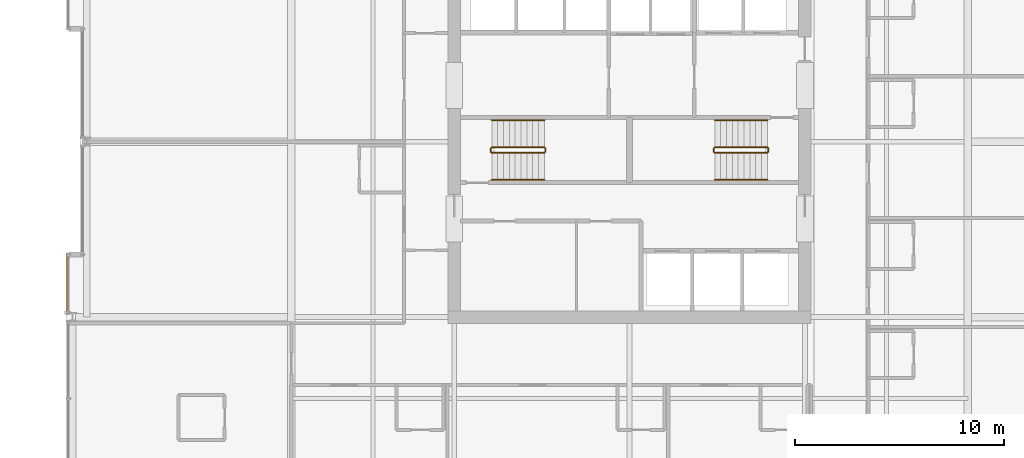
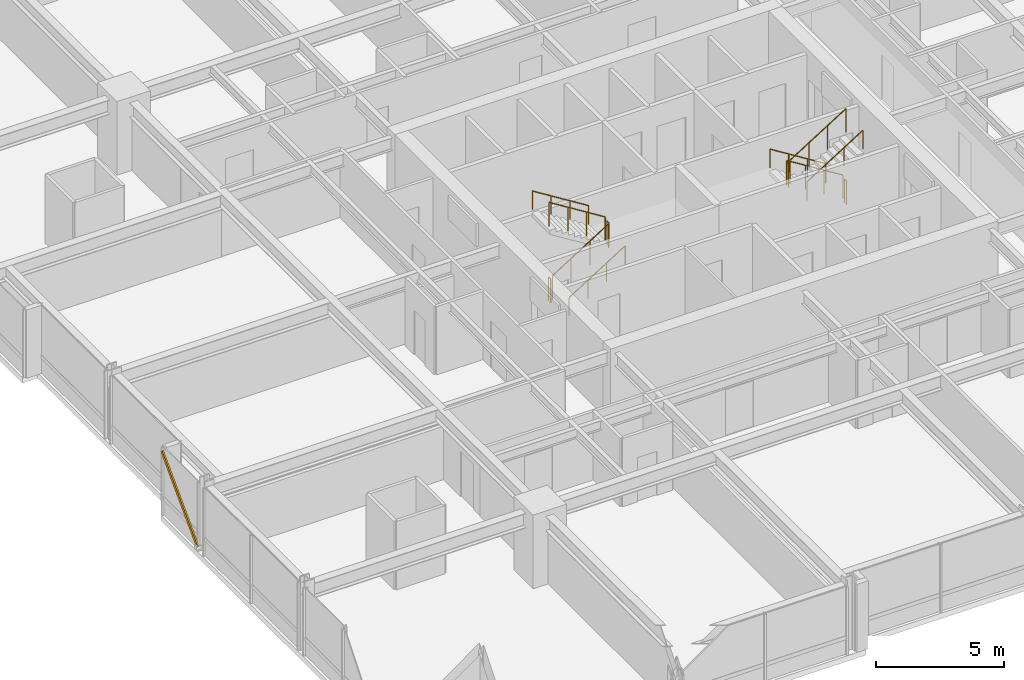
# One storey, part 33 of 34: 12 railings, 1 shading device.
"""IFC4 building model written with IfcOpenShell, lengths in metres."""

from ifc_helpers import new_model, si_unit, direction, frame, origin, origin_2d, place, context, subcontext, project, spatial, hollow_rectangle, circle, extrude, material, material_profile, profile_set, type_object, element, save


model = new_model("IFC4")

# Units and contexts
model_context = context("Model", 3, precision=1e-05, world=origin(), true_north=direction((0.0, 1.0)))
body_context = subcontext(model_context, "Body", "Model", "MODEL_VIEW")
ifc_project = project(units=[si_unit("LENGTHUNIT", "METRE"), si_unit("AREAUNIT", "SQUARE_METRE"), si_unit("VOLUMEUNIT", "CUBIC_METRE"), si_unit("PLANEANGLEUNIT", "RADIAN"), si_unit("MASSUNIT", "GRAM", prefix="KILO")], contexts=[model_context])

# Site, building, storey
site_placement = place(None, origin())
site = spatial("IfcSite", under=ifc_project, at=site_placement, CompositionType="ELEMENT")
building_placement = place(site_placement, origin())
building = spatial("IfcBuilding", under=site, at=building_placement, Name="Drelvath Grand Hotel", CompositionType="ELEMENT")
storey_placement = place(building_placement, frame((0.0, 0.0, 126.800048828125)))
storey = spatial("IfcBuildingStorey", under=building, at=storey_placement, Name="L32", CompositionType="ELEMENT", Elevation=126.800048828125)

# Railings
ifc_material_1 = material(Name="Painted Steel S275", Category="steel")
railing_type_1 = type_object("IfcRailingType", Name="Core Stair Wall Handrail 900", PredefinedType="HANDRAIL", material=ifc_material_1)
railing_1_placement = place(storey_placement, frame((-6.60009765625, 25.169921875, 0.175048828125)))
element("IfcRailing", 1, at=railing_1_placement, inside=storey, type_object=railing_type_1, Name="L32 ST-1 stair handrail 1", PredefinedType="HANDRAIL", context=body_context, shape_type="SweptSolid", body=[
    extrude(circle(Radius=0.02392578125, at=origin_2d()), frame((0.0, 0.0, 0.8759765625), z_axis=(0.848007534815, 0.0, 0.529984170421), x_axis=(0.0, 1.0, 0.0)), (0.0, 0.0, 1.0), 2.9716796875),
    extrude(circle(Radius=0.02099609375, at=origin_2d()), origin(), (0.0, 0.0, 1.0), 0.851806640625),
    extrude(circle(Radius=0.02099609375, at=origin_2d()), frame((0.840087890625, 0.0, 0.52490234375)), (0.0, 0.0, 1.0), 0.851806640625),
    extrude(circle(Radius=0.02099609375, at=origin_2d()), frame((1.679931640625, 0.0, 1.050048828125)), (0.0, 0.0, 1.0), 0.851806640625),
    extrude(circle(Radius=0.02099609375, at=origin_2d()), frame((2.52001953125, 0.0, 1.574951171875)), (0.0, 0.0, 1.0), 0.851806640625),
])
for number, where, name in (
    (2, (-4.080078125, 28.030029296875, 1.925048828125), "L32 ST-1 stair handrail 2"),
    (3, (6.60009765625, 28.030029296875, 0.175048828125), "L32 ST-2 stair handrail 1"),
):
    element("IfcRailing", number, at=place(storey_placement, frame(where)), inside=storey, type_object=railing_type_1, Name=name, PredefinedType="HANDRAIL", context=body_context, shape_type="SweptSolid", body=[
        extrude(circle(Radius=0.02392578125, at=origin_2d()), frame((0.0, 0.0, 0.8759765625), z_axis=(-0.848007534815, 0.0, 0.529984170421), x_axis=(0.0, -1.0, 0.0)), (0.0, 0.0, 1.0), 2.9716796875),
        extrude(circle(Radius=0.02099609375, at=origin_2d()), origin(), (0.0, 0.0, 1.0), 0.851806640625),
        extrude(circle(Radius=0.02099609375, at=origin_2d()), frame((-0.840087890625, 0.0, 0.52490234375)), (0.0, 0.0, 1.0), 0.851806640625),
        extrude(circle(Radius=0.02099609375, at=origin_2d()), frame((-1.679931640625, 0.0, 1.050048828125)), (0.0, 0.0, 1.0), 0.851806640625),
        extrude(circle(Radius=0.02099609375, at=origin_2d()), frame((-2.52001953125, 0.0, 1.574951171875)), (0.0, 0.0, 1.0), 0.851806640625),
    ])
railing_2_placement = place(storey_placement, frame((4.080078125, 25.169921875, 1.925048828125)))
element("IfcRailing", 4, at=railing_2_placement, inside=storey, type_object=railing_type_1, Name="L32 ST-2 stair handrail 2", PredefinedType="HANDRAIL", context=body_context, shape_type="SweptSolid", body=[
    extrude(circle(Radius=0.02392578125, at=origin_2d()), frame((0.0, 0.0, 0.8759765625), z_axis=(0.848007534815, 0.0, 0.529984170421), x_axis=(0.0, 1.0, 0.0)), (0.0, 0.0, 1.0), 2.9716796875),
    extrude(circle(Radius=0.02099609375, at=origin_2d()), origin(), (0.0, 0.0, 1.0), 0.851806640625),
    extrude(circle(Radius=0.02099609375, at=origin_2d()), frame((0.840087890625, 0.0, 0.52490234375)), (0.0, 0.0, 1.0), 0.851806640625),
    extrude(circle(Radius=0.02099609375, at=origin_2d()), frame((1.679931640625, 0.0, 1.050048828125)), (0.0, 0.0, 1.0), 0.851806640625),
    extrude(circle(Radius=0.02099609375, at=origin_2d()), frame((2.52001953125, 0.0, 1.574951171875)), (0.0, 0.0, 1.0), 0.851806640625),
])
railing_type_2 = type_object("IfcRailingType", Name="Core Stair Well Guardrail 1100", PredefinedType="GUARDRAIL", material=ifc_material_1)
railing_3_placement = place(storey_placement, frame((-6.60009765625, 26.469970703125, 0.175048828125)))
element("IfcRailing", 5, at=railing_3_placement, inside=storey, type_object=railing_type_2, Name="L32 ST-1 stair guard 1", PredefinedType="GUARDRAIL", context=body_context, shape_type="SweptSolid", body=[
    extrude(circle(Radius=0.02392578125, at=origin_2d()), frame((0.0, 0.0, 1.1259765625), z_axis=(0.848007534815, 0.0, 0.529984170421), x_axis=(0.0, 1.0, 0.0)), (0.0, 0.0, 1.0), 2.9716796875),
    extrude(circle(Radius=0.02099609375, at=origin_2d()), origin(), (0.0, 0.0, 1.0), 1.101806640625),
    extrude(circle(Radius=0.02099609375, at=origin_2d()), frame((0.840087890625, 0.0, 0.52490234375)), (0.0, 0.0, 1.0), 1.101806640625),
    extrude(circle(Radius=0.02099609375, at=origin_2d()), frame((1.679931640625, 0.0, 1.050048828125)), (0.0, 0.0, 1.0), 1.101806640625),
    extrude(circle(Radius=0.02099609375, at=origin_2d()), frame((2.52001953125, 0.0, 1.574951171875)), (0.0, 0.0, 1.0), 1.101806640625),
])
railing_4_placement = place(storey_placement, frame((-4.030029296875, 26.52001953125, 1.75)))
element("IfcRailing", 6, at=railing_4_placement, inside=storey, type_object=railing_type_2, Name="L32 ST-1 stair guard 2", PredefinedType="GUARDRAIL", context=body_context, shape_type="SweptSolid", body=[
    extrude(circle(Radius=0.02392578125, at=origin_2d()), frame((0.0, 0.0, 1.1259765625), z_axis=(0.0, 1.0, 0.0), x_axis=(-1.0, 0.0, 0.0)), (0.0, 0.0, 1.0), 0.159912109375),
    extrude(circle(Radius=0.02099609375, at=origin_2d()), origin(), (0.0, 0.0, 1.0), 1.101806640625),
    extrude(circle(Radius=0.02099609375, at=origin_2d()), frame((0.0, 0.159912109375, 0.0)), (0.0, 0.0, 1.0), 1.101806640625),
])
railing_5_placement = place(storey_placement, frame((-4.080078125, 26.72998046875, 1.925048828125)))
element("IfcRailing", 7, at=railing_5_placement, inside=storey, type_object=railing_type_2, Name="L32 ST-1 stair guard 3", PredefinedType="GUARDRAIL", context=body_context, shape_type="SweptSolid", body=[
    extrude(circle(Radius=0.02392578125, at=origin_2d()), frame((0.0, 0.0, 1.1259765625), z_axis=(-0.848007534815, 0.0, 0.529984170421), x_axis=(0.0, -1.0, 0.0)), (0.0, 0.0, 1.0), 2.9716796875),
    extrude(circle(Radius=0.02099609375, at=origin_2d()), origin(), (0.0, 0.0, 1.0), 1.101806640625),
    extrude(circle(Radius=0.02099609375, at=origin_2d()), frame((-0.840087890625, 0.0, 0.52490234375)), (0.0, 0.0, 1.0), 1.101806640625),
    extrude(circle(Radius=0.02099609375, at=origin_2d()), frame((-1.679931640625, 0.0, 1.050048828125)), (0.0, 0.0, 1.0), 1.101806640625),
    extrude(circle(Radius=0.02099609375, at=origin_2d()), frame((-2.52001953125, 0.0, 1.574951171875)), (0.0, 0.0, 1.0), 1.101806640625),
])
railing_6_placement = place(storey_placement, frame((-6.64990234375, 26.52001953125, 0.0)))
element("IfcRailing", 8, at=railing_6_placement, inside=storey, type_object=railing_type_2, Name="L32 ST-1 stair guard 4", PredefinedType="GUARDRAIL", context=body_context, shape_type="SweptSolid", body=[
    extrude(circle(Radius=0.02392578125, at=origin_2d()), frame((0.0, 0.0, 1.1259765625), z_axis=(0.0, 1.0, 0.0), x_axis=(-1.0, 0.0, 0.0)), (0.0, 0.0, 1.0), 0.159912109375),
    extrude(circle(Radius=0.02099609375, at=origin_2d()), origin(), (0.0, 0.0, 1.0), 1.101806640625),
    extrude(circle(Radius=0.02099609375, at=origin_2d()), frame((0.0, 0.159912109375, 0.0)), (0.0, 0.0, 1.0), 1.101806640625),
])
railing_7_placement = place(storey_placement, frame((6.60009765625, 26.72998046875, 0.175048828125)))
element("IfcRailing", 9, at=railing_7_placement, inside=storey, type_object=railing_type_2, Name="L32 ST-2 stair guard 1", PredefinedType="GUARDRAIL", context=body_context, shape_type="SweptSolid", body=[
    extrude(circle(Radius=0.02392578125, at=origin_2d()), frame((0.0, 0.0, 1.1259765625), z_axis=(-0.848007534815, 0.0, 0.529984170421), x_axis=(0.0, -1.0, 0.0)), (0.0, 0.0, 1.0), 2.9716796875),
    extrude(circle(Radius=0.02099609375, at=origin_2d()), origin(), (0.0, 0.0, 1.0), 1.101806640625),
    extrude(circle(Radius=0.02099609375, at=origin_2d()), frame((-0.840087890625, 0.0, 0.52490234375)), (0.0, 0.0, 1.0), 1.101806640625),
    extrude(circle(Radius=0.02099609375, at=origin_2d()), frame((-1.679931640625, 0.0, 1.050048828125)), (0.0, 0.0, 1.0), 1.101806640625),
    extrude(circle(Radius=0.02099609375, at=origin_2d()), frame((-2.52001953125, 0.0, 1.574951171875)), (0.0, 0.0, 1.0), 1.101806640625),
])
railing_8_placement = place(storey_placement, frame((4.030029296875, 26.679931640625, 1.75)))
element("IfcRailing", 10, at=railing_8_placement, inside=storey, type_object=railing_type_2, Name="L32 ST-2 stair guard 2", PredefinedType="GUARDRAIL", context=body_context, shape_type="SweptSolid", body=[
    extrude(circle(Radius=0.02392578125, at=origin_2d()), frame((0.0, 0.0, 1.1259765625), z_axis=(0.0, -1.0, 0.0), x_axis=(1.0, 0.0, 0.0)), (0.0, 0.0, 1.0), 0.159912109375),
    extrude(circle(Radius=0.02099609375, at=origin_2d()), origin(), (0.0, 0.0, 1.0), 1.101806640625),
    extrude(circle(Radius=0.02099609375, at=origin_2d()), frame((0.0, -0.159912109375, 0.0)), (0.0, 0.0, 1.0), 1.101806640625),
])
railing_9_placement = place(storey_placement, frame((4.080078125, 26.469970703125, 1.925048828125)))
element("IfcRailing", 11, at=railing_9_placement, inside=storey, type_object=railing_type_2, Name="L32 ST-2 stair guard 3", PredefinedType="GUARDRAIL", context=body_context, shape_type="SweptSolid", body=[
    extrude(circle(Radius=0.02392578125, at=origin_2d()), frame((0.0, 0.0, 1.1259765625), z_axis=(0.848007534815, 0.0, 0.529984170421), x_axis=(0.0, 1.0, 0.0)), (0.0, 0.0, 1.0), 2.9716796875),
    extrude(circle(Radius=0.02099609375, at=origin_2d()), origin(), (0.0, 0.0, 1.0), 1.101806640625),
    extrude(circle(Radius=0.02099609375, at=origin_2d()), frame((0.840087890625, 0.0, 0.52490234375)), (0.0, 0.0, 1.0), 1.101806640625),
    extrude(circle(Radius=0.02099609375, at=origin_2d()), frame((1.679931640625, 0.0, 1.050048828125)), (0.0, 0.0, 1.0), 1.101806640625),
    extrude(circle(Radius=0.02099609375, at=origin_2d()), frame((2.52001953125, 0.0, 1.574951171875)), (0.0, 0.0, 1.0), 1.101806640625),
])
railing_10_placement = place(storey_placement, frame((6.64990234375, 26.679931640625, 0.0)))
element("IfcRailing", 12, at=railing_10_placement, inside=storey, type_object=railing_type_2, Name="L32 ST-2 stair guard 4", PredefinedType="GUARDRAIL", context=body_context, shape_type="SweptSolid", body=[
    extrude(circle(Radius=0.02392578125, at=origin_2d()), frame((0.0, 0.0, 1.1259765625), z_axis=(0.0, -1.0, 0.0), x_axis=(1.0, 0.0, 0.0)), (0.0, 0.0, 1.0), 0.159912109375),
    extrude(circle(Radius=0.02099609375, at=origin_2d()), origin(), (0.0, 0.0, 1.0), 1.101806640625),
    extrude(circle(Radius=0.02099609375, at=origin_2d()), frame((0.0, -0.159912109375, 0.0)), (0.0, 0.0, 1.0), 1.101806640625),
])

# Shading device
ifc_material_2 = material(Name="Champagne Bronze Anodised Aluminium", Category="aluminium")
ifc_material_profile = material_profile(ifc_material_2, hollow_rectangle(XDim=0.06494140625, YDim=0.159912109375, WallThickness=0.00390625, at=origin_2d()), Name="HSS160X65X4")
ifc_profile_set = profile_set([ifc_material_profile], Name="Champagne Bronze Anodised Aluminium")
shading_device_type = type_object("IfcShadingDeviceType", Name="Diagonal Solar Fin Champagne Anodised HSS160X65X4", PredefinedType="USERDEFINED", material=ifc_profile_set)
shading_device_placement = place(storey_placement, frame((-26.9599609375, 18.809326171875, 0.179931640625), z_axis=(0.0, 0.69587862873, 0.718159407149), x_axis=(-1.0, 0.0, 0.0)))
element("IfcShadingDevice", 13, at=shading_device_placement, inside=storey, type_object=shading_device_type, Name="L32 Diagonal Anodised Fin CW03-L32-WS3", ObjectType="FIN", PredefinedType="USERDEFINED", context=body_context, shape_type="SweptSolid", body=[
    extrude(hollow_rectangle(XDim=0.06494140625, YDim=0.159912109375, WallThickness=0.00390625, at=origin_2d()), origin(), (0.0, 0.0, 1.0), 4.010498046875),
])

save(model, "model.ifc")
